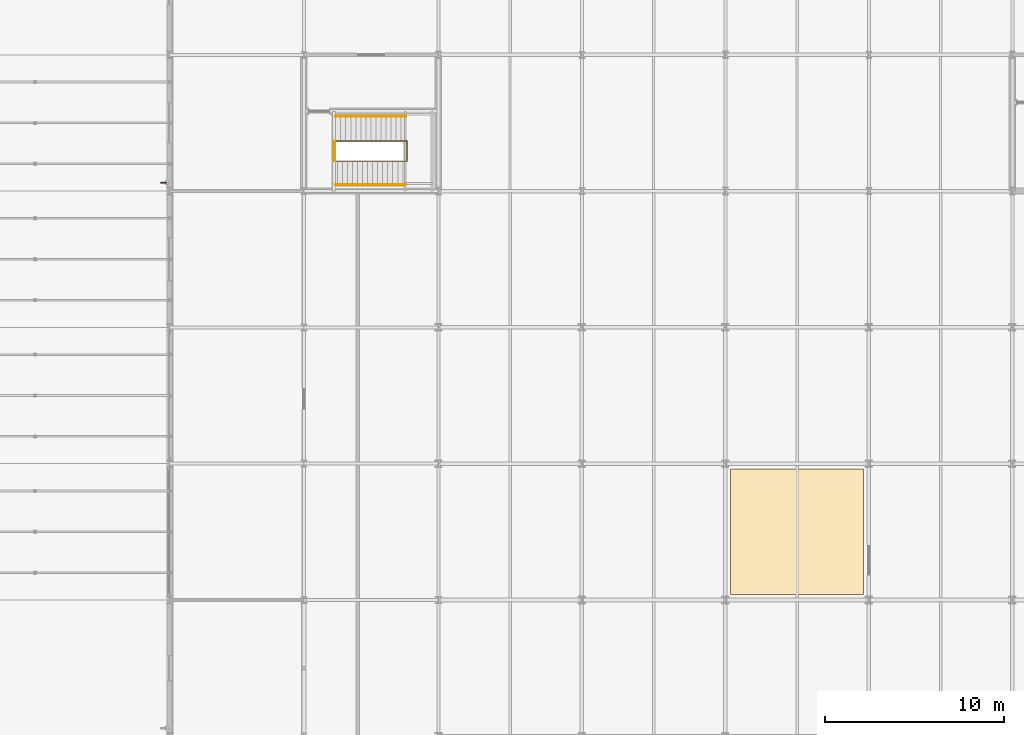
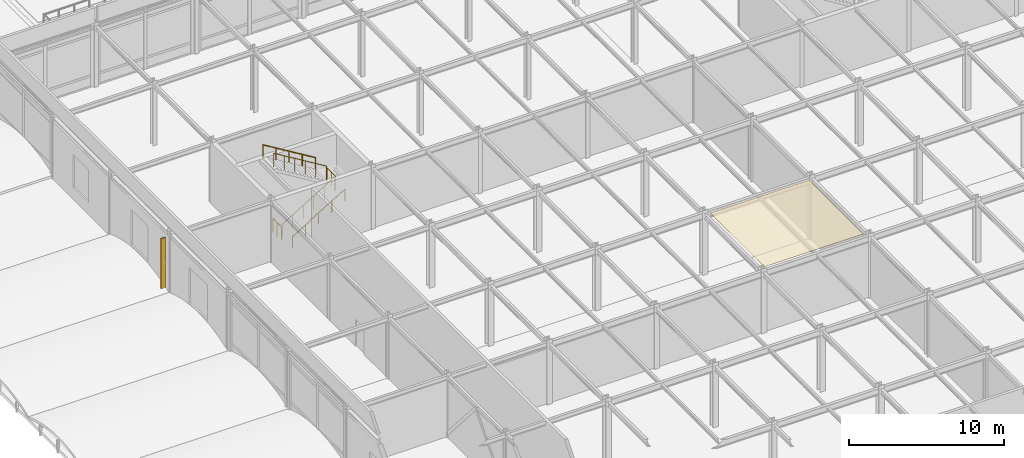
# One storey, part 72 of 79: 4 railings, 1 covering, 1 shading device.
"""IFC4 building model written with IfcOpenShell, lengths in metres."""

from ifc_helpers import new_model, si_unit, direction, frame, origin, origin_2d, place, context, subcontext, project, spatial, polyline, rectangle, circle, outline, extrude, material, layer, layer_set, type_object, element, save


model = new_model("IFC4")

# Units and contexts
model_context = context("Model", 3, precision=1e-05, world=origin(), true_north=direction((0.0, 1.0)))
body_context = subcontext(model_context, "Body", "Model", "MODEL_VIEW")
ifc_project = project(units=[si_unit("LENGTHUNIT", "METRE"), si_unit("AREAUNIT", "SQUARE_METRE"), si_unit("VOLUMEUNIT", "CUBIC_METRE"), si_unit("PLANEANGLEUNIT", "RADIAN"), si_unit("MASSUNIT", "GRAM", prefix="KILO")], contexts=[model_context])

# Site, building, storey
site_placement = place(None, origin())
site = spatial("IfcSite", under=ifc_project, at=site_placement, CompositionType="ELEMENT")
building_placement = place(site_placement, origin())
building = spatial("IfcBuilding", under=site, at=building_placement, Name="Shalkamar Park Central Library", CompositionType="ELEMENT")
storey_placement = place(building_placement, frame((0.0, 0.0, 10.5)))
storey = spatial("IfcBuildingStorey", under=building, at=storey_placement, Name="L03", CompositionType="ELEMENT", Elevation=10.5)

# Covering
ifc_material_1 = material(Name="Acoustic mineral fibre ceiling panel", Category="other")
ifc_layer_1 = layer(ifc_material_1, 0.02490234375)
ifc_layer_set_1 = layer_set([ifc_layer_1], Name="AcousticMineralCeilingTile")
covering_type = type_object("IfcCoveringType", Name="Acoustic Mineral Ceiling Tile", PredefinedType="CEILING", material=ifc_layer_set_1)
covering_placement = place(storey_placement, frame((0.0, 0.0, 4.81494140625)))
element("IfcCovering", 1, at=covering_placement, inside=storey, type_object=covering_type, Name="Acoustic Reading Ceiling Panel L03", PredefinedType="CEILING", context=body_context, shape_type="SweptSolid", body=[
    extrude(outline(polyline([(181.300048828125, 278.300048828125), (188.699951171875, 278.300048828125), (188.699951171875, 285.300048828125), (181.300048828125, 285.300048828125), (181.300048828125, 278.300048828125)])), origin(), (0.0, 0.0, 1.0), 0.025146484375),
])

# Shading device
ifc_material_2 = material(Name="Anodized bronze aluminium solar fin", Category="aluminium")
ifc_layer_2 = layer(ifc_material_2, 0.06005859375)
ifc_layer_set_2 = layer_set([ifc_layer_2], Name="BronzeSolarLouvreBlade")
shading_device_type = type_object("IfcShadingDeviceType", Name="Bronze Solar Louvre Blade", PredefinedType="SHUTTER", material=ifc_layer_set_2)
shading_device_placement = place(storey_placement, frame((149.68505859375, 301.256103515625, 0.300048828125), z_axis=(0.0, 0.0, 1.0), x_axis=(1.0, 0.0, 0.0)))
element("IfcShadingDevice", 2, at=shading_device_placement, inside=storey, type_object=shading_device_type, Name="Vertical Solar Fin L03-003", PredefinedType="SHUTTER", context=body_context, shape_type="SweptSolid", body=[
    extrude(rectangle(XDim=0.35009765625, YDim=0.06005859375, at=origin_2d()), origin(), (0.0, 0.0, 1.0), 3.97802734375),
])

# Railings
ifc_material_3 = material(Name="Steel S355", Category="steel")
railing_type_1 = type_object("IfcRailingType", Name="Stair Guardrail 1100", PredefinedType="GUARDRAIL", material=ifc_material_3)
railing_1_placement = place(storey_placement, frame((159.27490234375, 302.465087890625, 0.169921875)))
element("IfcRailing", 3, at=railing_1_placement, inside=storey, type_object=railing_type_1, Name="Stair Inner Well Guardrail ST-P2-L03", PredefinedType="GUARDRAIL", context=body_context, shape_type="SweptSolid", body=[
    extrude(circle(Radius=0.02392578125, at=origin_2d()), frame((0.0, 0.0, 1.076171875), z_axis=(0.854784984964, 0.0, 0.518982301701), x_axis=(0.0, 1.0, 0.0)), (0.0, 0.0, 1.0), 4.586181640625),
    extrude(circle(Radius=0.02392578125, at=origin_2d()), frame((3.920166015625, 0.0, 3.4560546875), z_axis=(1.0, 0.0, 0.0), x_axis=(0.0, 1.0, 0.0)), (0.0, 0.0, 1.0), 0.059814453125),
    extrude(circle(Radius=0.02392578125, at=origin_2d()), frame((3.97998046875, 0.0, 3.4560546875), z_axis=(0.0, 1.0, 0.0), x_axis=(-1.0, 0.0, 0.0)), (0.0, 0.0, 1.0), 1.119873046875),
    extrude(circle(Radius=0.02392578125, at=origin_2d()), frame((3.97998046875, 1.119873046875, 3.4560546875), z_axis=(-0.332040204651, 0.0, 0.943265234436), x_axis=(0.0, -1.0, 0.0)), (0.0, 0.0, 1.0), 0.18017578125),
    extrude(circle(Radius=0.02392578125, at=origin_2d()), frame((3.920166015625, 1.119873046875, 3.6259765625), z_axis=(-0.854784984964, 0.0, 0.518982301701), x_axis=(0.0, -1.0, 0.0)), (0.0, 0.0, 1.0), 4.586181640625),
    extrude(circle(Radius=0.02099609375, at=origin_2d()), origin(), (0.0, 0.0, 1.0), 1.052001953125),
    extrude(circle(Radius=0.02099609375, at=origin_2d()), frame((0.783935546875, 0.0, 0.47607421875)), (0.0, 0.0, 1.0), 1.052001953125),
    extrude(circle(Radius=0.02099609375, at=origin_2d()), frame((1.568115234375, 0.0, 0.9521484375)), (0.0, 0.0, 1.0), 1.052001953125),
    extrude(circle(Radius=0.02099609375, at=origin_2d()), frame((2.35205078125, 0.0, 1.427978515625)), (0.0, 0.0, 1.0), 1.052001953125),
    extrude(circle(Radius=0.02099609375, at=origin_2d()), frame((3.13623046875, 0.0, 1.904052734375)), (0.0, 0.0, 1.0), 1.052001953125),
    extrude(circle(Radius=0.02099609375, at=origin_2d()), frame((3.920166015625, 0.0, 2.380126953125)), (0.0, 0.0, 1.0), 1.052001953125),
    extrude(circle(Radius=0.02099609375, at=origin_2d()), frame((3.97998046875, 0.0, 2.380126953125)), (0.0, 0.0, 1.0), 1.052001953125),
    extrude(circle(Radius=0.02099609375, at=origin_2d()), frame((3.97998046875, 0.56005859375, 2.380126953125)), (0.0, 0.0, 1.0), 1.052001953125),
    extrude(circle(Radius=0.02099609375, at=origin_2d()), frame((3.97998046875, 1.119873046875, 2.380126953125)), (0.0, 0.0, 1.0), 1.052001953125),
    extrude(circle(Radius=0.02099609375, at=origin_2d()), frame((3.920166015625, 1.119873046875, 2.550048828125)), (0.0, 0.0, 1.0), 1.052001953125),
    extrude(circle(Radius=0.02099609375, at=origin_2d()), frame((3.13623046875, 1.119873046875, 3.026123046875)), (0.0, 0.0, 1.0), 1.052001953125),
    extrude(circle(Radius=0.02099609375, at=origin_2d()), frame((2.35205078125, 1.119873046875, 3.502197265625)), (0.0, 0.0, 1.0), 1.052001953125),
    extrude(circle(Radius=0.02099609375, at=origin_2d()), frame((1.568115234375, 1.119873046875, 3.97802734375)), (0.0, 0.0, 1.0), 1.052001953125),
    extrude(circle(Radius=0.02099609375, at=origin_2d()), frame((0.783935546875, 1.119873046875, 4.4541015625)), (0.0, 0.0, 1.0), 1.052001953125),
    extrude(circle(Radius=0.02099609375, at=origin_2d()), frame((0.0, 1.119873046875, 4.93017578125)), (0.0, 0.0, 1.0), 1.052001953125),
])
railing_2_placement = place(storey_placement, frame((159.215087890625, 302.47509765625, 0.0)))
element("IfcRailing", 4, at=railing_2_placement, inside=storey, type_object=railing_type_1, Name="Stair Arrival Well Guardrail ST-P2 (L03)", PredefinedType="GUARDRAIL", context=body_context, shape_type="SweptSolid", body=[
    extrude(circle(Radius=0.02392578125, at=origin_2d()), frame((0.0, 0.0, 1.076171875), z_axis=(0.0, 1.0, 0.0), x_axis=(-1.0, 0.0, 0.0)), (0.0, 0.0, 1.0), 1.099853515625),
    extrude(circle(Radius=0.02099609375, at=origin_2d()), origin(), (0.0, 0.0, 1.0), 1.052001953125),
    extrude(circle(Radius=0.02099609375, at=origin_2d()), frame((0.0, 0.5498046875, 0.0)), (0.0, 0.0, 1.0), 1.052001953125),
    extrude(circle(Radius=0.02099609375, at=origin_2d()), frame((0.0, 1.099853515625, 0.0)), (0.0, 0.0, 1.0), 1.052001953125),
])
railing_type_2 = type_object("IfcRailingType", Name="Stair Pitched Handrail 920", PredefinedType="HANDRAIL", material=ifc_material_3)
railing_3_placement = place(storey_placement, frame((159.27490234375, 301.155029296875, 0.169921875)))
element("IfcRailing", 5, at=railing_3_placement, inside=storey, type_object=railing_type_2, Name="Stair Wall Handrail ST-P2-L03 Flight 1", PredefinedType="HANDRAIL", context=body_context, shape_type="SweptSolid", body=[
    extrude(circle(Radius=0.02392578125, at=origin_2d()), frame((0.0, 0.0, 0.89599609375), z_axis=(0.854784984964, 0.0, 0.518982301701), x_axis=(0.0, 1.0, 0.0)), (0.0, 0.0, 1.0), 4.586181640625),
    extrude(circle(Radius=0.02099609375, at=origin_2d()), origin(), (0.0, 0.0, 1.0), 0.871826171875),
    extrude(circle(Radius=0.02099609375, at=origin_2d()), frame((0.97998046875, 0.0, 0.594970703125)), (0.0, 0.0, 1.0), 0.871826171875),
    extrude(circle(Radius=0.02099609375, at=origin_2d()), frame((1.9599609375, 0.0, 1.18994140625)), (0.0, 0.0, 1.0), 0.871826171875),
    extrude(circle(Radius=0.02099609375, at=origin_2d()), frame((2.940185546875, 0.0, 1.78515625)), (0.0, 0.0, 1.0), 0.871826171875),
    extrude(circle(Radius=0.02099609375, at=origin_2d()), frame((3.920166015625, 0.0, 2.380126953125)), (0.0, 0.0, 1.0), 0.871826171875),
])
railing_4_placement = place(storey_placement, frame((163.195068359375, 304.97509765625, 2.719970703125)))
element("IfcRailing", 6, at=railing_4_placement, inside=storey, type_object=railing_type_2, Name="Stair Wall Handrail ST-P2-L03 Flight 2", PredefinedType="HANDRAIL", context=body_context, shape_type="SweptSolid", body=[
    extrude(circle(Radius=0.02392578125, at=origin_2d()), frame((0.0, 0.0, 0.89599609375), z_axis=(-0.854784984964, 0.0, 0.518982301701), x_axis=(0.0, -1.0, 0.0)), (0.0, 0.0, 1.0), 4.586181640625),
    extrude(circle(Radius=0.02099609375, at=origin_2d()), origin(), (0.0, 0.0, 1.0), 0.871826171875),
    extrude(circle(Radius=0.02099609375, at=origin_2d()), frame((-0.97998046875, 0.0, 0.594970703125)), (0.0, 0.0, 1.0), 0.871826171875),
    extrude(circle(Radius=0.02099609375, at=origin_2d()), frame((-1.9599609375, 0.0, 1.18994140625)), (0.0, 0.0, 1.0), 0.871826171875),
    extrude(circle(Radius=0.02099609375, at=origin_2d()), frame((-2.940185546875, 0.0, 1.78515625)), (0.0, 0.0, 1.0), 0.871826171875),
    extrude(circle(Radius=0.02099609375, at=origin_2d()), frame((-3.920166015625, 0.0, 2.380126953125)), (0.0, 0.0, 1.0), 0.871826171875),
])

save(model, "model.ifc")
